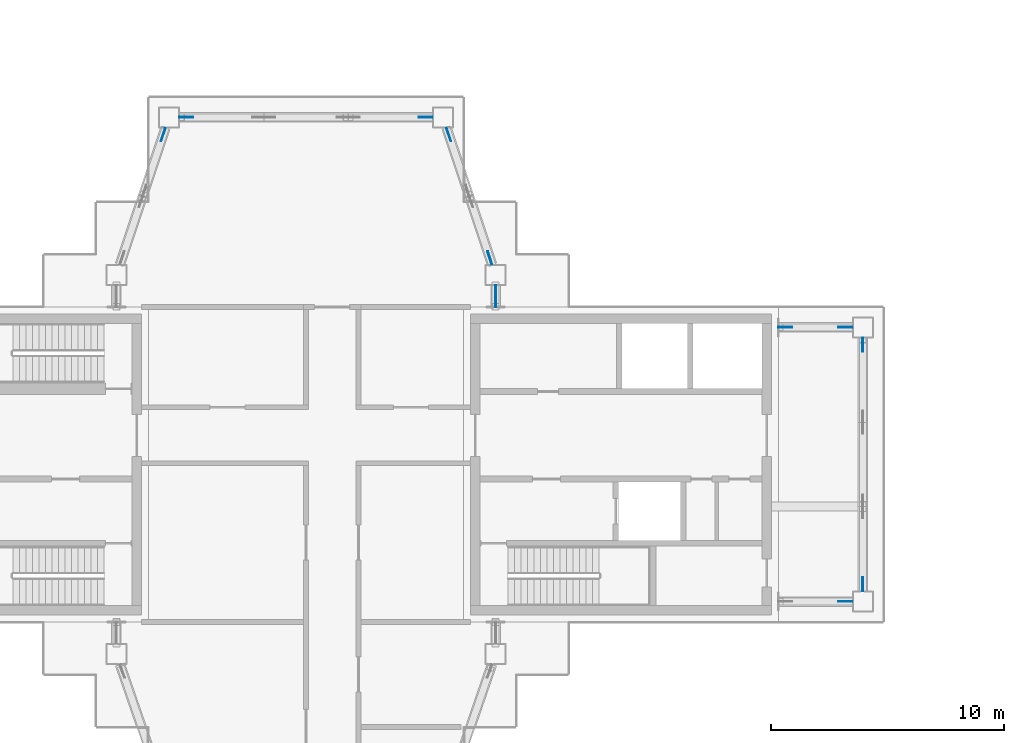
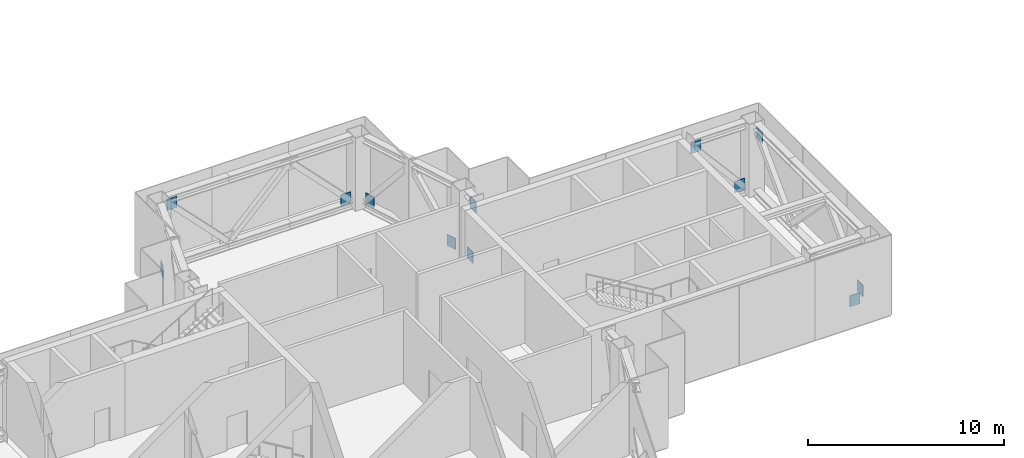
# One storey, part 14 of 18: 12 discrete accessories.
"""IFC4 building model written with IfcOpenShell, lengths in metres."""

from ifc_helpers import new_model, si_unit, direction, frame, origin, origin_2d, place, context, subcontext, project, spatial, rectangle, extrude, material, layer, layer_set, type_object, element, save


model = new_model("IFC4")

# Units and contexts
model_context = context("Model", 3, precision=1e-05, world=origin(), true_north=direction((0.0, 1.0)))
body_context = subcontext(model_context, "Body", "Model", "MODEL_VIEW")
ifc_project = project(units=[si_unit("LENGTHUNIT", "METRE"), si_unit("AREAUNIT", "SQUARE_METRE"), si_unit("VOLUMEUNIT", "CUBIC_METRE"), si_unit("PLANEANGLEUNIT", "RADIAN"), si_unit("MASSUNIT", "GRAM", prefix="KILO")], contexts=[model_context])

# Site, building, storey
site_placement = place(None, origin())
site = spatial("IfcSite", under=ifc_project, at=site_placement, CompositionType="ELEMENT")
building_placement = place(site_placement, origin())
building = spatial("IfcBuilding", under=site, at=building_placement, Name="Shamsa Quay Exchange Towers", CompositionType="ELEMENT")
storey_placement = place(building_placement, frame((0.0, 0.0, 273.300048828125)))
storey = spatial("IfcBuildingStorey", under=building, at=storey_placement, Name="L66", CompositionType="ELEMENT", Elevation=273.300048828125)

# Discrete accessories
ifc_material = material(Name="Steel S355", Category="steel")
ifc_layer = layer(ifc_material, 0.0400390625)
ifc_layer_set = layer_set([ifc_layer], Name="End plate 600x700x40")
discrete_accessory_type = type_object("IfcDiscreteAccessoryType", Name="End plate 600x700x40", PredefinedType="BRACKET", material=ifc_layer_set)
for number, where, z_axis, x_axis, name in (
    (1, (-10.625, -5.875, 0.26611328125), (0.0, 0.0, 1.0), (-1.0, 0.0, 0.0), "End plate T1 L66"),
    (2, (-9.875, -5.125, 0.26611328125), (0.0, 0.0, 1.0), (0.0, 1.0, 0.0), "End plate T1 L66"),
    (3, (-9.875, 5.125, 3.583984375), (0.0, 0.0, 1.0), (0.0, 1.0, 0.0), "End plate T1 L66"),
    (4, (-10.625, 5.875, 0.26611328125), (0.0, 0.0, 1.0), (-1.0, 0.0, 0.0), "End plate T1 L66"),
    (5, (-13.199951171875, 5.875, 3.583984375), (0.0, 0.0, 1.0), (-1.0, 0.0, 0.0), "End plate T1 L66"),
    (6, (-25.625, 7.375, 0.26611328125), (0.0, 0.0, 1.0), (0.0, -1.0, 0.0), "End plate T1 L66"),
    (7, (-25.625, 7.050048828125, 3.583984375), (0.0, 0.0, 1.0), (0.0, -1.0, 0.0), "End plate T1 L66"),
    (8, (-25.869873046875, 8.859619140625, 0.26611328125), (0.0, 0.0, 1.0), (-0.316227766018, 0.94868329805, 0.0), "End plate T1 L66"),
    (9, (-27.630126953125, 14.140380859375, 0.26611328125), (0.0, 0.0, 1.0), (-0.316227766018, 0.94868329805, 0.0), "End plate T1 L66"),
    (10, (-28.625, 14.875, 0.26611328125), (0.0, 0.0, 1.0), (-1.0, 0.0, 0.0), "End plate T1 L66"),
    (11, (-38.875, 14.875, 3.583984375), (0.0, 0.0, 1.0), (-1.0, 0.0, 0.0), "End plate T1 L66"),
    (12, (-39.869873046875, 14.140380859375, 0.26611328125), (0.0, 0.0, 1.0), (-0.316227766018, -0.94868329805, 0.0), "End plate T1 L66"),
):
    element("IfcDiscreteAccessory", number, at=place(storey_placement, frame(where, z_axis=z_axis, x_axis=x_axis)), inside=storey, type_object=discrete_accessory_type, Name=name, PredefinedType="BRACKET", context=body_context, shape_type="SweptSolid", body=[
        extrude(rectangle(XDim=0.60009765625, YDim=0.0400390625, at=origin_2d()), origin(), (0.0, 0.0, 1.0), 0.699951171875),
    ])

save(model, "model.ifc")
